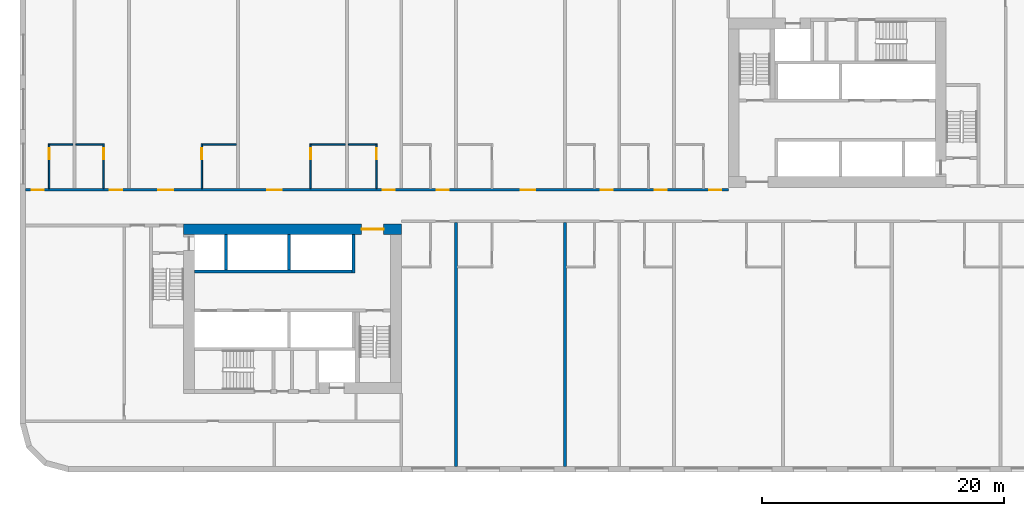
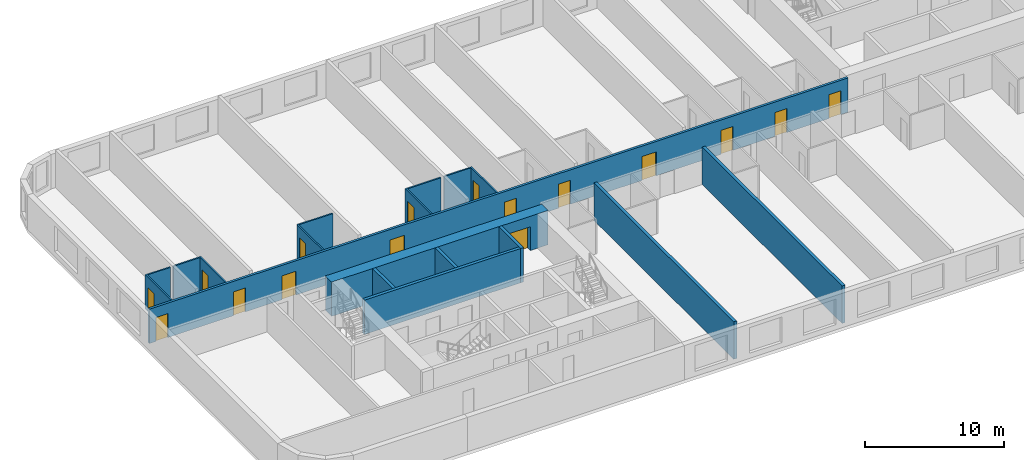
# One storey, part 3 of 12: 18 walls, 16 doors, 16 openings.
"""IFC4 building model written with IfcOpenShell, lengths in metres."""

from ifc_helpers import new_model, si_unit, direction, frame, frame_2d, origin, place, context, subcontext, project, spatial, rectangle, extrude, material, layer, layer_set, type_object, element, fill, save


model = new_model("IFC4")

# Units and contexts
model_context = context("Model", 3, precision=1e-05, world=origin(), true_north=direction((0.0, 1.0)))
body_context = subcontext(model_context, "Body", "Model", "MODEL_VIEW")
ifc_project = project(units=[si_unit("LENGTHUNIT", "METRE"), si_unit("AREAUNIT", "SQUARE_METRE"), si_unit("VOLUMEUNIT", "CUBIC_METRE"), si_unit("PLANEANGLEUNIT", "RADIAN"), si_unit("MASSUNIT", "GRAM", prefix="KILO")], contexts=[model_context])

# Site, building, storey
site_placement = place(None, origin())
site = spatial("IfcSite", under=ifc_project, at=site_placement, CompositionType="ELEMENT")
building_placement = place(site_placement, origin())
building = spatial("IfcBuilding", under=site, at=building_placement, Name="Kajstack Hotel Tower", CompositionType="ELEMENT")
storey_placement = place(building_placement, frame((0.0, 0.0, 63.300048828125)))
storey = spatial("IfcBuildingStorey", under=building, at=storey_placement, Name="L10", CompositionType="ELEMENT", Elevation=63.300048828125)

# Wall, opening, door
ifc_material_1 = material(Name="Concrete C60/75", Category="concrete")
ifc_layer_1 = layer(ifc_material_1, 0.89990234375)
ifc_layer_set_1 = layer_set([ifc_layer_1], Name="Core wall 900")
wall_type_1 = type_object("IfcWallType", Name="Core wall 900", PredefinedType="SHEAR", material=ifc_layer_set_1)
wall_1_placement = place(storey_placement, frame((-31.5, -1.949951171875, 0.0), z_axis=(0.0, 0.0, 1.0), x_axis=(1.0, 0.0, 0.0)))
wall_1 = element("IfcWall", 1, at=wall_1_placement, inside=storey, type_object=wall_type_1, Name="Core wall W RN", PredefinedType="SHEAR", context=body_context, shape_type="SweptSolid", body=[
    extrude(rectangle(XDim=18.0, YDim=0.89990234375, at=frame_2d((9.0, 0.0))), origin(), (0.0, 0.0, 1.0), 3.02001953125),
])
opening_1_placement = place(wall_1_placement, frame((14.72509765625, 0.0, 0.0)))
opening_1 = element("IfcOpeningElement", 2, at=opening_1_placement, cuts=wall_1, Name="Opening 10W06", PredefinedType="OPENING", context=body_context, shape_type="SweptSolid", body=[
    extrude(rectangle(XDim=1.800048828125, YDim=2.10009765625, at=frame_2d((0.89990234375, 1.050048828125))), frame((0.0, 0.4599609375, 0.0), z_axis=(0.0, -1.0, 0.0), x_axis=(1.0, 0.0, 0.0)), (0.0, 0.0, 1.0), 0.919921875),
])
ifc_material_2 = material(Name="Glazed steel frame, fire-rated glass", Category="steel")
door_type_1 = type_object("IfcDoorType", Name="Lobby double door 1800", OperationType="DOUBLE_DOOR_DOUBLE_SWING", PredefinedType="DOOR", material=ifc_material_2)
door_1_placement = place(opening_1_placement, origin())
door_1 = element("IfcDoor", 3, at=door_1_placement, inside=storey, type_object=door_type_1, Name="Door 10W06", OperationType="DOUBLE_DOOR_DOUBLE_SWING", OverallHeight=2.10009765625, OverallWidth=1.800048828125, PredefinedType="DOOR", context=body_context, shape_type="SweptSolid", body=[
    extrude(rectangle(XDim=1.800048828125, YDim=2.10009765625, at=frame_2d((0.89990234375, 1.050048828125))), frame((0.0, 0.02490234375, 0.0), z_axis=(0.0, -1.0, 0.0), x_axis=(1.0, 0.0, 0.0)), (0.0, 0.0, 1.0), 0.050048828125),
])
fill(opening_1, door_1)

# Wall, openings, doors
ifc_material_3 = material(Name="Gypsum board on steel studs, mineral wool", Category="steel")
ifc_layer_2 = layer(ifc_material_3, 0.199951171875)
ifc_layer_set_2 = layer_set([ifc_layer_2], Name="Corridor wall 200")
wall_type_2 = type_object("IfcWallType", Name="Corridor wall 200", PredefinedType="PARTITIONING", material=ifc_layer_set_2)
wall_2_placement = place(storey_placement, frame((-44.550048828125, 1.300048828125, 0.0), z_axis=(0.0, 0.0, 1.0), x_axis=(1.0, 0.0, 0.0)))
wall_2 = element("IfcWall", 4, at=wall_2_placement, inside=storey, type_object=wall_type_2, Name="G-wall-L10-003", PredefinedType="PARTITIONING", context=body_context, shape_type="SweptSolid", body=[
    extrude(rectangle(XDim=58.050048828125, YDim=0.199951171875, at=frame_2d((29.02490234375, 0.0))), origin(), (0.0, 0.0, 1.0), 3.02001953125),
])
opening_2_placement = place(wall_2_placement, frame((0.52490234375, 0.0, 0.0)))
opening_2 = element("IfcOpeningElement", 5, at=opening_2_placement, cuts=wall_2, Name="Opening 10001", PredefinedType="OPENING", context=body_context, shape_type="SweptSolid", body=[
    extrude(rectangle(XDim=1.0, YDim=2.10009765625, at=frame_2d((0.5, 1.050048828125))), frame((0.0, 0.10986328125, 0.0), z_axis=(0.0, -1.0, 0.0), x_axis=(1.0, 0.0, 0.0)), (0.0, 0.0, 1.0), 0.219970703125),
])
opening_3_placement = place(wall_2_placement, frame((6.97509765625, 0.0, 0.0)))
opening_3 = element("IfcOpeningElement", 6, at=opening_3_placement, cuts=wall_2, Name="Opening 10003", PredefinedType="OPENING", context=body_context, shape_type="SweptSolid", body=[
    extrude(rectangle(XDim=1.0, YDim=2.10009765625, at=frame_2d((0.5, 1.050048828125))), frame((0.0, 0.10986328125, 0.0), z_axis=(0.0, -1.0, 0.0), x_axis=(1.0, 0.0, 0.0)), (0.0, 0.0, 1.0), 0.219970703125),
])
opening_4_placement = place(wall_2_placement, frame((10.987060546875, 0.0, 0.0)))
opening_4 = element("IfcOpeningElement", 7, at=opening_4_placement, cuts=wall_2, Name="Opening 10005", PredefinedType="OPENING", context=body_context, shape_type="SweptSolid", body=[
    extrude(rectangle(XDim=1.199951171875, YDim=2.10009765625, at=frame_2d((0.60009765625, 1.050048828125))), frame((0.0, 0.10986328125, 0.0), z_axis=(0.0, -1.0, 0.0), x_axis=(1.0, 0.0, 0.0)), (0.0, 0.0, 1.0), 0.219970703125),
])
opening_5_placement = place(wall_2_placement, frame((19.987060546875, 0.0, 0.0)))
opening_5 = element("IfcOpeningElement", 8, at=opening_5_placement, cuts=wall_2, Name="Opening 10007", PredefinedType="OPENING", context=body_context, shape_type="SweptSolid", body=[
    extrude(rectangle(XDim=1.199951171875, YDim=2.10009765625, at=frame_2d((0.60009765625, 1.050048828125))), frame((0.0, 0.10986328125, 0.0), z_axis=(0.0, -1.0, 0.0), x_axis=(1.0, 0.0, 0.0)), (0.0, 0.0, 1.0), 0.219970703125),
])
opening_6_placement = place(wall_2_placement, frame((29.5, 0.0, 0.0)))
opening_6 = element("IfcOpeningElement", 9, at=opening_6_placement, cuts=wall_2, Name="Opening 10009", PredefinedType="OPENING", context=body_context, shape_type="SweptSolid", body=[
    extrude(rectangle(XDim=1.0, YDim=2.10009765625, at=frame_2d((0.5, 1.050048828125))), frame((0.0, 0.10986328125, 0.0), z_axis=(0.0, -1.0, 0.0), x_axis=(1.0, 0.0, 0.0)), (0.0, 0.0, 1.0), 0.219970703125),
])
opening_7_placement = place(wall_2_placement, frame((33.97509765625, 0.0, 0.0)))
opening_7 = element("IfcOpeningElement", 10, at=opening_7_placement, cuts=wall_2, Name="Opening 10011", PredefinedType="OPENING", context=body_context, shape_type="SweptSolid", body=[
    extrude(rectangle(XDim=1.0, YDim=2.10009765625, at=frame_2d((0.5, 1.050048828125))), frame((0.0, 0.10986328125, 0.0), z_axis=(0.0, -1.0, 0.0), x_axis=(1.0, 0.0, 0.0)), (0.0, 0.0, 1.0), 0.219970703125),
])
opening_8_placement = place(wall_2_placement, frame((40.912109375, 0.0, 0.0)))
opening_8 = element("IfcOpeningElement", 11, at=opening_8_placement, cuts=wall_2, Name="Opening 10013", PredefinedType="OPENING", context=body_context, shape_type="SweptSolid", body=[
    extrude(rectangle(XDim=1.199951171875, YDim=2.10009765625, at=frame_2d((0.60009765625, 1.050048828125))), frame((0.0, 0.10986328125, 0.0), z_axis=(0.0, -1.0, 0.0), x_axis=(1.0, 0.0, 0.0)), (0.0, 0.0, 1.0), 0.219970703125),
])
opening_9_placement = place(wall_2_placement, frame((47.5, 0.0, 0.0)))
opening_9 = element("IfcOpeningElement", 12, at=opening_9_placement, cuts=wall_2, Name="Opening 10015", PredefinedType="OPENING", context=body_context, shape_type="SweptSolid", body=[
    extrude(rectangle(XDim=1.0, YDim=2.10009765625, at=frame_2d((0.5, 1.050048828125))), frame((0.0, 0.10986328125, 0.0), z_axis=(0.0, -1.0, 0.0), x_axis=(1.0, 0.0, 0.0)), (0.0, 0.0, 1.0), 0.219970703125),
])
opening_10_placement = place(wall_2_placement, frame((51.97509765625, 0.0, 0.0)))
opening_10 = element("IfcOpeningElement", 13, at=opening_10_placement, cuts=wall_2, Name="Opening 10017", PredefinedType="OPENING", context=body_context, shape_type="SweptSolid", body=[
    extrude(rectangle(XDim=1.0, YDim=2.10009765625, at=frame_2d((0.5, 1.050048828125))), frame((0.0, 0.10986328125, 0.0), z_axis=(0.0, -1.0, 0.0), x_axis=(1.0, 0.0, 0.0)), (0.0, 0.0, 1.0), 0.219970703125),
])
opening_11_placement = place(wall_2_placement, frame((56.47509765625, 0.0, 0.0)))
opening_11 = element("IfcOpeningElement", 14, at=opening_11_placement, cuts=wall_2, Name="Opening 10019", PredefinedType="OPENING", context=body_context, shape_type="SweptSolid", body=[
    extrude(rectangle(XDim=1.0, YDim=2.10009765625, at=frame_2d((0.5, 1.050048828125))), frame((0.0, 0.10986328125, 0.0), z_axis=(0.0, -1.0, 0.0), x_axis=(1.0, 0.0, 0.0)), (0.0, 0.0, 1.0), 0.219970703125),
])
ifc_material_4 = material(Name="Oak veneer on timber core, fire-rated leaf", Category="wood")
door_type_2 = type_object("IfcDoorType", Name="Flat entrance door 1000", OperationType="SINGLE_SWING_LEFT", PredefinedType="DOOR", material=ifc_material_4)
door_2_placement = place(opening_2_placement, origin())
door_2 = element("IfcDoor", 15, at=door_2_placement, inside=storey, type_object=door_type_2, Name="G-door-L10-01", OperationType="SINGLE_SWING_LEFT", OverallHeight=2.10009765625, OverallWidth=1.0, PredefinedType="DOOR", context=body_context, shape_type="SweptSolid", body=[
    extrude(rectangle(XDim=1.0, YDim=2.10009765625, at=frame_2d((0.5, 1.050048828125))), frame((0.0, 0.02490234375, 0.0), z_axis=(0.0, -1.0, 0.0), x_axis=(1.0, 0.0, 0.0)), (0.0, 0.0, 1.0), 0.050048828125),
])
fill(opening_2, door_2)
door_3_placement = place(opening_3_placement, origin())
door_3 = element("IfcDoor", 16, at=door_3_placement, inside=storey, type_object=door_type_2, Name="G-door-L10-03", OperationType="SINGLE_SWING_LEFT", OverallHeight=2.10009765625, OverallWidth=1.0, PredefinedType="DOOR", context=body_context, shape_type="SweptSolid", body=[
    extrude(rectangle(XDim=1.0, YDim=2.10009765625, at=frame_2d((0.5, 1.050048828125))), frame((0.0, 0.02490234375, 0.0), z_axis=(0.0, -1.0, 0.0), x_axis=(1.0, 0.0, 0.0)), (0.0, 0.0, 1.0), 0.050048828125),
])
fill(opening_3, door_3)
door_4_placement = place(opening_6_placement, origin())
door_4 = element("IfcDoor", 17, at=door_4_placement, inside=storey, type_object=door_type_2, Name="G-door-L10-09", OperationType="SINGLE_SWING_LEFT", OverallHeight=2.10009765625, OverallWidth=1.0, PredefinedType="DOOR", context=body_context, shape_type="SweptSolid", body=[
    extrude(rectangle(XDim=1.0, YDim=2.10009765625, at=frame_2d((0.5, 1.050048828125))), frame((0.0, 0.02490234375, 0.0), z_axis=(0.0, -1.0, 0.0), x_axis=(1.0, 0.0, 0.0)), (0.0, 0.0, 1.0), 0.050048828125),
])
fill(opening_6, door_4)
door_5_placement = place(opening_7_placement, origin())
door_5 = element("IfcDoor", 18, at=door_5_placement, inside=storey, type_object=door_type_2, Name="G-door-L10-11", OperationType="SINGLE_SWING_RIGHT", OverallHeight=2.10009765625, OverallWidth=1.0, PredefinedType="DOOR", context=body_context, shape_type="SweptSolid", body=[
    extrude(rectangle(XDim=1.0, YDim=2.10009765625, at=frame_2d((0.5, 1.050048828125))), frame((0.0, 0.02490234375, 0.0), z_axis=(0.0, -1.0, 0.0), x_axis=(1.0, 0.0, 0.0)), (0.0, 0.0, 1.0), 0.050048828125),
])
fill(opening_7, door_5)
door_6_placement = place(opening_9_placement, origin())
door_6 = element("IfcDoor", 19, at=door_6_placement, inside=storey, type_object=door_type_2, Name="G-door-L10-15", OperationType="SINGLE_SWING_RIGHT", OverallHeight=2.10009765625, OverallWidth=1.0, PredefinedType="DOOR", context=body_context, shape_type="SweptSolid", body=[
    extrude(rectangle(XDim=1.0, YDim=2.10009765625, at=frame_2d((0.5, 1.050048828125))), frame((0.0, 0.02490234375, 0.0), z_axis=(0.0, -1.0, 0.0), x_axis=(1.0, 0.0, 0.0)), (0.0, 0.0, 1.0), 0.050048828125),
])
fill(opening_9, door_6)
door_7_placement = place(opening_10_placement, origin())
door_7 = element("IfcDoor", 20, at=door_7_placement, inside=storey, type_object=door_type_2, Name="G-door-L10-17", OperationType="SINGLE_SWING_RIGHT", OverallHeight=2.10009765625, OverallWidth=1.0, PredefinedType="DOOR", context=body_context, shape_type="SweptSolid", body=[
    extrude(rectangle(XDim=1.0, YDim=2.10009765625, at=frame_2d((0.5, 1.050048828125))), frame((0.0, 0.02490234375, 0.0), z_axis=(0.0, -1.0, 0.0), x_axis=(1.0, 0.0, 0.0)), (0.0, 0.0, 1.0), 0.050048828125),
])
fill(opening_10, door_7)
door_8_placement = place(opening_11_placement, origin())
door_8 = element("IfcDoor", 21, at=door_8_placement, inside=storey, type_object=door_type_2, Name="G-door-L10-19", OperationType="SINGLE_SWING_RIGHT", OverallHeight=2.10009765625, OverallWidth=1.0, PredefinedType="DOOR", context=body_context, shape_type="SweptSolid", body=[
    extrude(rectangle(XDim=1.0, YDim=2.10009765625, at=frame_2d((0.5, 1.050048828125))), frame((0.0, 0.02490234375, 0.0), z_axis=(0.0, -1.0, 0.0), x_axis=(1.0, 0.0, 0.0)), (0.0, 0.0, 1.0), 0.050048828125),
])
fill(opening_11, door_8)
door_type_3 = type_object("IfcDoorType", Name="Flat entrance door 1200", OperationType="SINGLE_SWING_LEFT", PredefinedType="DOOR", material=ifc_material_4)
door_9_placement = place(opening_4_placement, origin())
door_9 = element("IfcDoor", 22, at=door_9_placement, inside=storey, type_object=door_type_3, Name="G-door-L10-05", OperationType="SINGLE_SWING_RIGHT", OverallHeight=2.10009765625, OverallWidth=1.199951171875, PredefinedType="DOOR", context=body_context, shape_type="SweptSolid", body=[
    extrude(rectangle(XDim=1.199951171875, YDim=2.10009765625, at=frame_2d((0.60009765625, 1.050048828125))), frame((0.0, 0.02490234375, 0.0), z_axis=(0.0, -1.0, 0.0), x_axis=(1.0, 0.0, 0.0)), (0.0, 0.0, 1.0), 0.050048828125),
])
fill(opening_4, door_9)
door_10_placement = place(opening_5_placement, origin())
door_10 = element("IfcDoor", 23, at=door_10_placement, inside=storey, type_object=door_type_3, Name="G-door-L10-07", OperationType="SINGLE_SWING_RIGHT", OverallHeight=2.10009765625, OverallWidth=1.199951171875, PredefinedType="DOOR", context=body_context, shape_type="SweptSolid", body=[
    extrude(rectangle(XDim=1.199951171875, YDim=2.10009765625, at=frame_2d((0.60009765625, 1.050048828125))), frame((0.0, 0.02490234375, 0.0), z_axis=(0.0, -1.0, 0.0), x_axis=(1.0, 0.0, 0.0)), (0.0, 0.0, 1.0), 0.050048828125),
])
fill(opening_5, door_10)
door_11_placement = place(opening_8_placement, origin())
door_11 = element("IfcDoor", 24, at=door_11_placement, inside=storey, type_object=door_type_3, Name="G-door-L10-13", OperationType="SINGLE_SWING_RIGHT", OverallHeight=2.10009765625, OverallWidth=1.199951171875, PredefinedType="DOOR", context=body_context, shape_type="SweptSolid", body=[
    extrude(rectangle(XDim=1.199951171875, YDim=2.10009765625, at=frame_2d((0.60009765625, 1.050048828125))), frame((0.0, 0.02490234375, 0.0), z_axis=(0.0, -1.0, 0.0), x_axis=(1.0, 0.0, 0.0)), (0.0, 0.0, 1.0), 0.050048828125),
])
fill(opening_8, door_11)

# Wall, opening, door
ifc_material_5 = material(Name="Gypsum board and tiled backer on steel studs", Category="steel")
ifc_layer_3 = layer(ifc_material_5, 0.125)
ifc_layer_set_3 = layer_set([ifc_layer_3], Name="En-suite wall 125")
wall_type_3 = type_object("IfcWallType", Name="En-suite wall 125", PredefinedType="PARTITIONING", material=ifc_layer_set_3)
wall_3_placement = place(storey_placement, frame((-42.5869140625, 1.39990234375, 0.0), z_axis=(0.0, 0.0, 1.0), x_axis=(0.0, 1.0, 0.0)))
wall_3 = element("IfcWall", 25, at=wall_3_placement, inside=storey, type_object=wall_type_3, Name="G-wall-L10-004", PredefinedType="PARTITIONING", context=body_context, shape_type="SweptSolid", body=[
    extrude(rectangle(XDim=3.72509765625, YDim=0.125, at=frame_2d((1.862548828125, 0.0))), origin(), (0.0, 0.0, 1.0), 3.02001953125),
])
opening_12_placement = place(wall_3_placement, frame((2.449951171875, 0.0, 0.0)))
opening_12 = element("IfcOpeningElement", 26, at=opening_12_placement, cuts=wall_3, Name="Opening 10002", PredefinedType="OPENING", context=body_context, shape_type="SweptSolid", body=[
    extrude(rectangle(XDim=0.89990234375, YDim=2.10009765625, at=frame_2d((0.449951171875, 1.050048828125))), frame((0.0, 0.072509765625, 0.0), z_axis=(0.0, -1.0, 0.0), x_axis=(1.0, 0.0, 0.0)), (0.0, 0.0, 1.0), 0.14501953125),
])
ifc_material_6 = material(Name="Painted timber door leaf", Category="wood")
door_type_4 = type_object("IfcDoorType", Name="Room door 900", OperationType="SINGLE_SWING_LEFT", PredefinedType="DOOR", material=ifc_material_6)
door_12_placement = place(opening_12_placement, origin())
door_12 = element("IfcDoor", 27, at=door_12_placement, inside=storey, type_object=door_type_4, Name="G-door-L10-02", OperationType="SINGLE_SWING_RIGHT", OverallHeight=2.10009765625, OverallWidth=0.89990234375, PredefinedType="DOOR", context=body_context, shape_type="SweptSolid", body=[
    extrude(rectangle(XDim=0.89990234375, YDim=2.10009765625, at=frame_2d((0.449951171875, 1.050048828125))), frame((0.0, 0.02490234375, 0.0), z_axis=(0.0, -1.0, 0.0), x_axis=(1.0, 0.0, 0.0)), (0.0, 0.0, 1.0), 0.050048828125),
])
fill(opening_12, door_12)

# Wall
wall_4_placement = place(storey_placement, frame((-42.52490234375, 5.06201171875, 0.0), z_axis=(0.0, 0.0, 1.0), x_axis=(1.0, 0.0, 0.0)))
element("IfcWall", 28, at=wall_4_placement, inside=storey, type_object=wall_type_3, Name="G-wall-L10-005", PredefinedType="PARTITIONING", context=body_context, shape_type="SweptSolid", body=[
    extrude(rectangle(XDim=1.89990234375, YDim=0.125, at=frame_2d((0.949951171875, 0.0))), origin(), (0.0, 0.0, 1.0), 3.02001953125),
])

# Wall, opening, door
wall_5_placement = place(storey_placement, frame((-38.0869140625, 1.39990234375, 0.0), z_axis=(0.0, 0.0, 1.0), x_axis=(0.0, 1.0, 0.0)))
wall_5 = element("IfcWall", 29, at=wall_5_placement, inside=storey, type_object=wall_type_3, Name="G-wall-L10-006", PredefinedType="PARTITIONING", context=body_context, shape_type="SweptSolid", body=[
    extrude(rectangle(XDim=3.72509765625, YDim=0.125, at=frame_2d((1.862548828125, 0.0))), origin(), (0.0, 0.0, 1.0), 3.02001953125),
])
opening_13_placement = place(wall_5_placement, frame((2.449951171875, 0.0, 0.0)))
opening_13 = element("IfcOpeningElement", 30, at=opening_13_placement, cuts=wall_5, Name="Opening 10004", PredefinedType="OPENING", context=body_context, shape_type="SweptSolid", body=[
    extrude(rectangle(XDim=0.89990234375, YDim=2.10009765625, at=frame_2d((0.449951171875, 1.050048828125))), frame((0.0, 0.072509765625, 0.0), z_axis=(0.0, -1.0, 0.0), x_axis=(1.0, 0.0, 0.0)), (0.0, 0.0, 1.0), 0.14501953125),
])
door_13_placement = place(opening_13_placement, origin())
door_13 = element("IfcDoor", 31, at=door_13_placement, inside=storey, type_object=door_type_4, Name="G-door-L10-04", OperationType="SINGLE_SWING_RIGHT", OverallHeight=2.10009765625, OverallWidth=0.89990234375, PredefinedType="DOOR", context=body_context, shape_type="SweptSolid", body=[
    extrude(rectangle(XDim=0.89990234375, YDim=2.10009765625, at=frame_2d((0.449951171875, 1.050048828125))), frame((0.0, 0.02490234375, 0.0), z_axis=(0.0, -1.0, 0.0), x_axis=(1.0, 0.0, 0.0)), (0.0, 0.0, 1.0), 0.050048828125),
])
fill(opening_13, door_13)

# Wall
wall_6_placement = place(storey_placement, frame((-40.375, 5.06201171875, 0.0), z_axis=(0.0, 0.0, 1.0), x_axis=(1.0, 0.0, 0.0)))
element("IfcWall", 32, at=wall_6_placement, inside=storey, type_object=wall_type_3, Name="G-wall-L10-007", PredefinedType="PARTITIONING", context=body_context, shape_type="SweptSolid", body=[
    extrude(rectangle(XDim=2.22509765625, YDim=0.125, at=frame_2d((1.112548828125, 0.0))), origin(), (0.0, 0.0, 1.0), 3.02001953125),
])

# Wall, opening, door
wall_7_placement = place(storey_placement, frame((-29.988037109375, 1.39990234375, 0.0), z_axis=(0.0, 0.0, 1.0), x_axis=(0.0, 1.0, 0.0)))
wall_7 = element("IfcWall", 33, at=wall_7_placement, inside=storey, type_object=wall_type_3, Name="G-wall-L10-008", PredefinedType="PARTITIONING", context=body_context, shape_type="SweptSolid", body=[
    extrude(rectangle(XDim=3.72509765625, YDim=0.125, at=frame_2d((1.862548828125, 0.0))), origin(), (0.0, 0.0, 1.0), 3.02001953125),
])
opening_14_placement = place(wall_7_placement, frame((2.449951171875, 0.0, 0.0)))
opening_14 = element("IfcOpeningElement", 34, at=opening_14_placement, cuts=wall_7, Name="Opening 10006", PredefinedType="OPENING", context=body_context, shape_type="SweptSolid", body=[
    extrude(rectangle(XDim=0.89990234375, YDim=2.10009765625, at=frame_2d((0.449951171875, 1.050048828125))), frame((0.0, 0.072509765625, 0.0), z_axis=(0.0, -1.0, 0.0), x_axis=(1.0, 0.0, 0.0)), (0.0, 0.0, 1.0), 0.14501953125),
])
door_14_placement = place(opening_14_placement, origin())
door_14 = element("IfcDoor", 35, at=door_14_placement, inside=storey, type_object=door_type_4, Name="G-door-L10-06", OperationType="SINGLE_SWING_RIGHT", OverallHeight=2.10009765625, OverallWidth=0.89990234375, PredefinedType="DOOR", context=body_context, shape_type="SweptSolid", body=[
    extrude(rectangle(XDim=0.89990234375, YDim=2.10009765625, at=frame_2d((0.449951171875, 1.050048828125))), frame((0.0, 0.02490234375, 0.0), z_axis=(0.0, -1.0, 0.0), x_axis=(1.0, 0.0, 0.0)), (0.0, 0.0, 1.0), 0.050048828125),
])
fill(opening_14, door_14)

# Wall
wall_8_placement = place(storey_placement, frame((-29.925048828125, 5.06201171875, 0.0), z_axis=(0.0, 0.0, 1.0), x_axis=(1.0, 0.0, 0.0)))
element("IfcWall", 36, at=wall_8_placement, inside=storey, type_object=wall_type_3, Name="G-wall-L10-009", PredefinedType="PARTITIONING", context=body_context, shape_type="SweptSolid", body=[
    extrude(rectangle(XDim=2.800048828125, YDim=0.125, at=frame_2d((1.39990234375, 0.0))), origin(), (0.0, 0.0, 1.0), 3.02001953125),
])

# Wall, opening, door
wall_9_placement = place(storey_placement, frame((-20.988037109375, 1.39990234375, 0.0), z_axis=(0.0, 0.0, 1.0), x_axis=(0.0, 1.0, 0.0)))
wall_9 = element("IfcWall", 37, at=wall_9_placement, inside=storey, type_object=wall_type_3, Name="G-wall-L10-010", PredefinedType="PARTITIONING", context=body_context, shape_type="SweptSolid", body=[
    extrude(rectangle(XDim=3.72509765625, YDim=0.125, at=frame_2d((1.862548828125, 0.0))), origin(), (0.0, 0.0, 1.0), 3.02001953125),
])
opening_15_placement = place(wall_9_placement, frame((2.449951171875, 0.0, 0.0)))
opening_15 = element("IfcOpeningElement", 38, at=opening_15_placement, cuts=wall_9, Name="Opening 10008", PredefinedType="OPENING", context=body_context, shape_type="SweptSolid", body=[
    extrude(rectangle(XDim=0.89990234375, YDim=2.10009765625, at=frame_2d((0.449951171875, 1.050048828125))), frame((0.0, 0.072509765625, 0.0), z_axis=(0.0, -1.0, 0.0), x_axis=(1.0, 0.0, 0.0)), (0.0, 0.0, 1.0), 0.14501953125),
])
door_15_placement = place(opening_15_placement, origin())
door_15 = element("IfcDoor", 39, at=door_15_placement, inside=storey, type_object=door_type_4, Name="G-door-L10-08", OperationType="SINGLE_SWING_LEFT", OverallHeight=2.10009765625, OverallWidth=0.89990234375, PredefinedType="DOOR", context=body_context, shape_type="SweptSolid", body=[
    extrude(rectangle(XDim=0.89990234375, YDim=2.10009765625, at=frame_2d((0.449951171875, 1.050048828125))), frame((0.0, 0.02490234375, 0.0), z_axis=(0.0, -1.0, 0.0), x_axis=(1.0, 0.0, 0.0)), (0.0, 0.0, 1.0), 0.050048828125),
])
fill(opening_15, door_15)

# Wall
wall_10_placement = place(storey_placement, frame((-20.925048828125, 5.06201171875, 0.0), z_axis=(0.0, 0.0, 1.0), x_axis=(1.0, 0.0, 0.0)))
element("IfcWall", 40, at=wall_10_placement, inside=storey, type_object=wall_type_3, Name="G-wall-L10-011", PredefinedType="PARTITIONING", context=body_context, shape_type="SweptSolid", body=[
    extrude(rectangle(XDim=2.800048828125, YDim=0.125, at=frame_2d((1.39990234375, 0.0))), origin(), (0.0, 0.0, 1.0), 3.02001953125),
])

# Wall, opening, door
wall_11_placement = place(storey_placement, frame((-15.56201171875, 1.39990234375, 0.0), z_axis=(0.0, 0.0, 1.0), x_axis=(0.0, 1.0, 0.0)))
wall_11 = element("IfcWall", 41, at=wall_11_placement, inside=storey, type_object=wall_type_3, Name="G-wall-L10-013", PredefinedType="PARTITIONING", context=body_context, shape_type="SweptSolid", body=[
    extrude(rectangle(XDim=3.72509765625, YDim=0.125, at=frame_2d((1.862548828125, 0.0))), origin(), (0.0, 0.0, 1.0), 3.02001953125),
])
opening_16_placement = place(wall_11_placement, frame((2.449951171875, 0.0, 0.0)))
opening_16 = element("IfcOpeningElement", 42, at=opening_16_placement, cuts=wall_11, Name="Opening 10010", PredefinedType="OPENING", context=body_context, shape_type="SweptSolid", body=[
    extrude(rectangle(XDim=0.89990234375, YDim=2.10009765625, at=frame_2d((0.449951171875, 1.050048828125))), frame((0.0, 0.072509765625, 0.0), z_axis=(0.0, -1.0, 0.0), x_axis=(1.0, 0.0, 0.0)), (0.0, 0.0, 1.0), 0.14501953125),
])
door_16_placement = place(opening_16_placement, origin())
door_16 = element("IfcDoor", 43, at=door_16_placement, inside=storey, type_object=door_type_4, Name="G-door-L10-10", OperationType="SINGLE_SWING_LEFT", OverallHeight=2.10009765625, OverallWidth=0.89990234375, PredefinedType="DOOR", context=body_context, shape_type="SweptSolid", body=[
    extrude(rectangle(XDim=0.89990234375, YDim=2.10009765625, at=frame_2d((0.449951171875, 1.050048828125))), frame((0.0, 0.02490234375, 0.0), z_axis=(0.0, -1.0, 0.0), x_axis=(1.0, 0.0, 0.0)), (0.0, 0.0, 1.0), 0.050048828125),
])
fill(opening_16, door_16)

# Walls
wall_12_placement = place(storey_placement, frame((-17.875, 5.06201171875, 0.0), z_axis=(0.0, 0.0, 1.0), x_axis=(1.0, 0.0, 0.0)))
element("IfcWall", 44, at=wall_12_placement, inside=storey, type_object=wall_type_3, Name="G-wall-L10-014", PredefinedType="PARTITIONING", context=body_context, shape_type="SweptSolid", body=[
    extrude(rectangle(XDim=2.25, YDim=0.125, at=frame_2d((1.125, 0.0))), origin(), (0.0, 0.0, 1.0), 3.02001953125),
])
ifc_material_7 = material(Name="Concrete C50/60", Category="concrete")
ifc_layer_4 = layer(ifc_material_7, 0.300048828125)
ifc_layer_set_4 = layer_set([ifc_layer_4], Name="Hoistway divider wall 300")
wall_type_4 = type_object("IfcWallType", Name="Hoistway divider wall 300", PredefinedType="SHEAR", material=ifc_layer_set_4)
wall_13_placement = place(storey_placement, frame((-22.77490234375, -5.300048828125, 0.0), z_axis=(0.0, 0.0, 1.0), x_axis=(0.0, 1.0, 0.0)))
element("IfcWall", 45, at=wall_13_placement, inside=storey, type_object=wall_type_4, Name="Core wall W AP2", PredefinedType="SHEAR", context=body_context, shape_type="SweptSolid", body=[
    extrude(rectangle(XDim=2.900146484375, YDim=0.25, at=frame_2d((1.4501953125, 0.0))), origin(), (0.0, 0.0, 1.0), 3.02001953125),
])
ifc_layer_5 = layer(ifc_material_1, 0.25)
ifc_layer_set_5 = layer_set([ifc_layer_5], Name="RC cross wall 250 C60/75")
wall_type_5 = type_object("IfcWallType", Name="RC cross wall 250 C60/75", PredefinedType="SHEAR", material=ifc_layer_set_5)
for number, where, z_axis, x_axis, name in (
    (46, (-9.0, -21.5400390625, 0.0), (0.0, 0.0, 1.0), (0.0, 1.0, 0.0), "S-wall-L10-05"),
    (47, (0.0, -21.5400390625, 0.0), (0.0, 0.0, 1.0), (0.0, 1.0, 0.0), "S-wall-L10-07"),
):
    element("IfcWall", number, at=place(storey_placement, frame(where, z_axis=z_axis, x_axis=x_axis)), inside=storey, type_object=wall_type_5, Name=name, PredefinedType="SHEAR", context=body_context, shape_type="SweptSolid", body=[
        extrude(rectangle(XDim=20.14013671875, YDim=0.25, at=frame_2d((10.070068359375, 0.0))), origin(), (0.0, 0.0, 1.0), 3.300048828125),
    ])
ifc_layer_6 = layer(ifc_material_7, 0.25)
ifc_layer_set_6 = layer_set([ifc_layer_6], Name="Shaft wall 250")
wall_type_6 = type_object("IfcWallType", Name="Shaft wall 250", PredefinedType="SHEAR", material=ifc_layer_set_6)
wall_14_placement = place(storey_placement, frame((-30.60009765625, -5.425048828125, 0.0), z_axis=(0.0, 0.0, 1.0), x_axis=(1.0, 0.0, 0.0)))
element("IfcWall", 48, at=wall_14_placement, inside=storey, type_object=wall_type_6, Name="Core wall W FA", PredefinedType="SHEAR", context=body_context, shape_type="SweptSolid", body=[
    extrude(rectangle(XDim=13.0, YDim=0.25, at=frame_2d((6.5, 0.0))), origin(), (0.0, 0.0, 1.0), 3.02001953125),
])
wall_15_placement = place(storey_placement, frame((-17.47509765625, -5.550048828125, 0.0), z_axis=(0.0, 0.0, 1.0), x_axis=(0.0, 1.0, 0.0)))
element("IfcWall", 49, at=wall_15_placement, inside=storey, type_object=wall_type_6, Name="Core wall W AE", PredefinedType="SHEAR", context=body_context, shape_type="SweptSolid", body=[
    extrude(rectangle(XDim=3.150146484375, YDim=0.25, at=frame_2d((1.5751953125, 0.0))), origin(), (0.0, 0.0, 1.0), 3.02001953125),
])
wall_16_placement = place(storey_placement, frame((-27.97509765625, -5.300048828125, 0.0), z_axis=(0.0, 0.0, 1.0), x_axis=(0.0, 1.0, 0.0)))
element("IfcWall", 50, at=wall_16_placement, inside=storey, type_object=wall_type_6, Name="Core wall W AP0", PredefinedType="SHEAR", context=body_context, shape_type="SweptSolid", body=[
    extrude(rectangle(XDim=2.900146484375, YDim=0.25, at=frame_2d((1.4501953125, 0.0))), origin(), (0.0, 0.0, 1.0), 3.02001953125),
])

save(model, "model.ifc")
